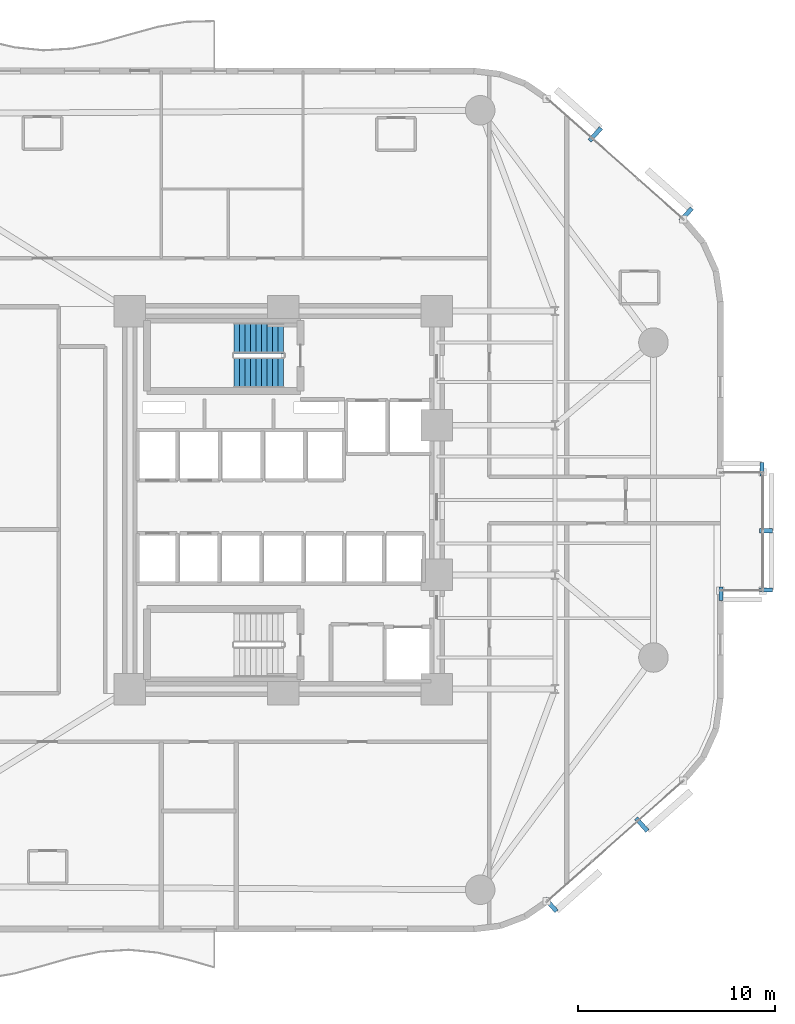
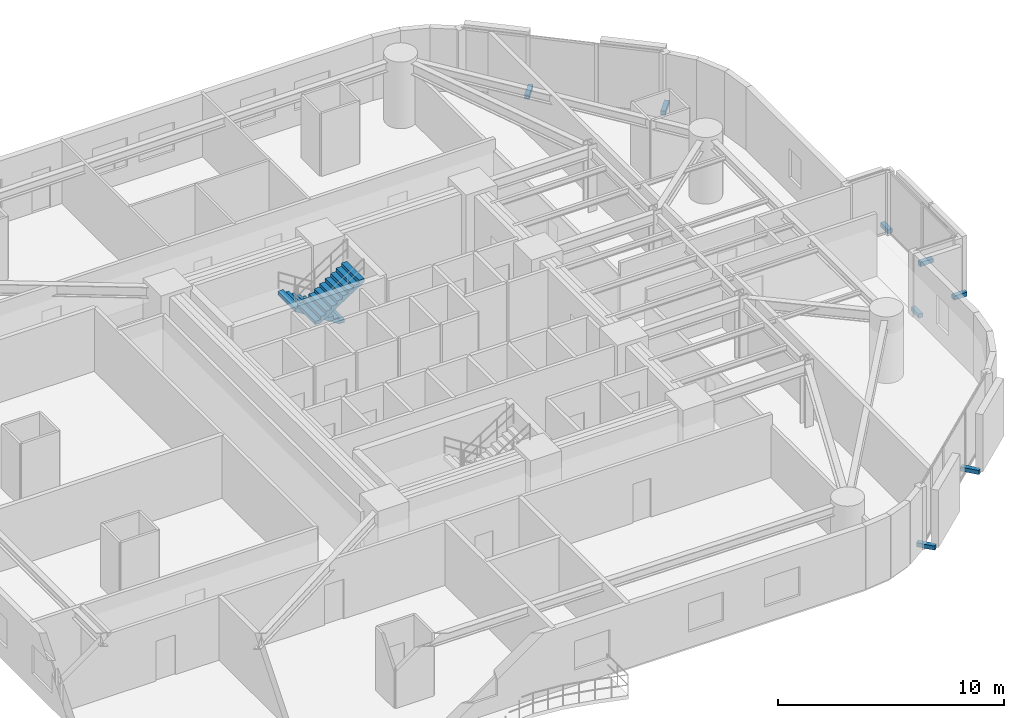
# One storey, part 14 of 17: 8 discrete accessories, 2 stair flights, 1 element without a shape of its own.
"""IFC4 building model written with IfcOpenShell, lengths in metres."""

from ifc_helpers import new_model, si_unit, direction, frame, origin, origin_2d, place, context, subcontext, project, spatial, polyline, rectangle, outline, extrude, material, type_object, element, aggregate, save


model = new_model("IFC4")

# Units and contexts
model_context = context("Model", 3, precision=1e-05, world=origin(), true_north=direction((0.0, 1.0)))
body_context = subcontext(model_context, "Body", "Model", "MODEL_VIEW")
ifc_project = project(units=[si_unit("LENGTHUNIT", "METRE"), si_unit("AREAUNIT", "SQUARE_METRE"), si_unit("VOLUMEUNIT", "CUBIC_METRE"), si_unit("PLANEANGLEUNIT", "RADIAN"), si_unit("MASSUNIT", "GRAM", prefix="KILO")], contexts=[model_context])

# Site, building, storey
site_placement = place(None, origin())
site = spatial("IfcSite", under=ifc_project, at=site_placement, CompositionType="ELEMENT")
building_placement = place(site_placement, origin())
building = spatial("IfcBuilding", under=site, at=building_placement, Name="An Khanh Terracotta Commons", CompositionType="ELEMENT")
storey_placement = place(building_placement, frame((0.0, 0.0, 36.0)))
storey = spatial("IfcBuildingStorey", under=building, at=storey_placement, Name="L09", CompositionType="ELEMENT", Elevation=36.0)

# Stair, stair flights
ifc_material_1 = material(Name="Precast concrete C40/50", Category="concrete")
stair_type = type_object("IfcStairType", Name="STAIR-CORE-1550", PredefinedType="HALF_TURN_STAIR", material=ifc_material_1)
stair_placement = place(storey_placement, origin())
stair = element("IfcStair", 1, at=stair_placement, inside=storey, type_object=stair_type, Name="L09 Core Smokeproof Exit Stair ST-01", PredefinedType="HALF_TURN_STAIR")
stair_flight_type = type_object("IfcStairFlightType", Name="FLIGHT-CORE-1550", PredefinedType="STRAIGHT", material=ifc_material_1)
stair_flight_1_placement = place(storey_placement, frame((29.409912109375, 32.22509765625, 0.0), z_axis=(0.0, 0.0, 1.0), x_axis=(-1.0, 0.0, 0.0)))
stair_flight_1 = element("IfcStairFlight", 2, at=stair_flight_1_placement, type_object=stair_flight_type, Name="ST-01 flight 1", NumberOfRisers=10, NumberOfTreads=9, PredefinedType="STRAIGHT", RiserHeight=0.18, TreadLength=0.28, context=body_context, shape_type="SweptSolid", body=[
    extrude(outline(polyline([(0.0, 0.0), (0.0, 0.179931640625), (0.280029296875, 0.179931640625), (0.280029296875, 0.360107421875), (0.56005859375, 0.360107421875), (0.56005859375, 0.5400390625), (0.840087890625, 0.5400390625), (0.840087890625, 0.719970703125), (1.1201171875, 0.719970703125), (1.1201171875, 0.89990234375), (1.39990234375, 0.89990234375), (1.39990234375, 1.080078125), (1.679931640625, 1.080078125), (1.679931640625, 1.260009765625), (1.9599609375, 1.260009765625), (1.9599609375, 1.43994140625), (2.239990234375, 1.43994140625), (2.239990234375, 1.6201171875), (2.52001953125, 1.6201171875), (2.52001953125, 1.800048828125), (2.52001953125, 1.44189453125), (0.277099609375, 0.0), (0.0, 0.0)])), frame((0.0, 0.77490234375, 0.0), z_axis=(0.0, -1.0, 0.0), x_axis=(1.0, 0.0, 0.0)), (0.0, 0.0, 1.0), 1.550048828125),
])
stair_flight_2_placement = place(storey_placement, frame((26.889892578125, 30.47509765625, 1.800048828125), z_axis=(0.0, 0.0, 1.0), x_axis=(1.0, 0.0, 0.0)))
stair_flight_2 = element("IfcStairFlight", 3, at=stair_flight_2_placement, type_object=stair_flight_type, Name="ST-01 flight 2", NumberOfRisers=10, NumberOfTreads=9, PredefinedType="STRAIGHT", RiserHeight=0.18, TreadLength=0.28, context=body_context, shape_type="SweptSolid", body=[
    extrude(outline(polyline([(0.0, 0.0), (0.0, 0.179931640625), (0.280029296875, 0.179931640625), (0.280029296875, 0.360107421875), (0.56005859375, 0.360107421875), (0.56005859375, 0.5400390625), (0.840087890625, 0.5400390625), (0.840087890625, 0.719970703125), (1.1201171875, 0.719970703125), (1.1201171875, 0.89990234375), (1.39990234375, 0.89990234375), (1.39990234375, 1.080078125), (1.679931640625, 1.080078125), (1.679931640625, 1.260009765625), (1.9599609375, 1.260009765625), (1.9599609375, 1.43994140625), (2.239990234375, 1.43994140625), (2.239990234375, 1.6201171875), (2.52001953125, 1.6201171875), (2.52001953125, 1.800048828125), (2.52001953125, 1.44189453125), (0.277099609375, 0.0), (0.0, 0.0)])), frame((0.0, 0.77490234375, 0.0), z_axis=(0.0, -1.0, 0.0), x_axis=(1.0, 0.0, 0.0)), (0.0, 0.0, 1.0), 1.550048828125),
])
aggregate(stair, [stair_flight_1, stair_flight_2])

# Discrete accessories
ifc_material_2 = material(Name="Stainless Steel Grade 316L", Category="steel")
discrete_accessory_type = type_object("IfcDiscreteAccessoryType", Name="Stainless Outrigger Facade Bracket", PredefinedType="BRACKET", material=ifc_material_2)
for number, where, z_axis, x_axis, name in (
    (4, (42.990966796875, 3.430908203125, 0.06982421875), (0.0, 0.0, 1.0), (0.749019284633, 0.662548195415, 0.0), "L09 Terracotta Screen Outrigger Bracket 1"),
    (5, (47.60498046875, 7.511962890625, 0.06982421875), (0.0, 0.0, 1.0), (0.749019284633, 0.662548195415, 0.0), "L09 Terracotta Screen Outrigger Bracket 3"),
):
    element("IfcDiscreteAccessory", number, at=place(storey_placement, frame(where, z_axis=z_axis, x_axis=x_axis)), inside=storey, type_object=discrete_accessory_type, Name=name, PredefinedType="BRACKET", context=body_context, shape_type="SweptSolid", body=[
        extrude(rectangle(XDim=0.219970703125, YDim=0.8701171875, at=origin_2d()), origin(), (0.0, 0.0, 1.0), 0.219970703125),
    ])
for number, where, z_axis, x_axis, name in (
    (6, (53.9150390625, 19.431884765625, 0.06982421875), (0.0, 0.0, 1.0), (0.0, 1.0, 0.0), "L09 Terracotta Screen Outrigger Bracket 1"),
    (7, (53.9150390625, 22.431884765625, 0.06982421875), (0.0, 0.0, 1.0), (0.0, 1.0, 0.0), "L09 Terracotta Screen Outrigger Bracket 2"),
    (8, (51.633056640625, 19.235107421875, 0.06982421875), (0.0, 0.0, 1.0), (1.0, 0.0, 0.0), "L09 Terracotta Screen Outrigger Bracket 1"),
    (9, (53.718017578125, 25.56494140625, 0.06982421875), (0.0, 0.0, 1.0), (-1.0, 0.0, 0.0), "L09 Terracotta Screen Outrigger Bracket 1"),
):
    element("IfcDiscreteAccessory", number, at=place(storey_placement, frame(where, z_axis=z_axis, x_axis=x_axis)), inside=storey, type_object=discrete_accessory_type, Name=name, PredefinedType="BRACKET", context=body_context, shape_type="SweptSolid", body=[
        extrude(rectangle(XDim=0.219970703125, YDim=0.669921875, at=origin_2d()), origin(), (0.0, 0.0, 1.0), 0.219970703125),
    ])
for number, where, z_axis, x_axis, name in (
    (10, (49.85888671875, 38.493896484375, 0.06982421875), (0.0, 0.0, 1.0), (-0.749019284633, 0.662548195415, 0.0), "L09 Terracotta Screen Outrigger Bracket 1"),
    (11, (45.2451171875, 42.574951171875, 0.06982421875), (0.0, 0.0, 1.0), (-0.749019284633, 0.662548195415, 0.0), "L09 Terracotta Screen Outrigger Bracket 3"),
):
    element("IfcDiscreteAccessory", number, at=place(storey_placement, frame(where, z_axis=z_axis, x_axis=x_axis)), inside=storey, type_object=discrete_accessory_type, Name=name, PredefinedType="BRACKET", context=body_context, shape_type="SweptSolid", body=[
        extrude(rectangle(XDim=0.219970703125, YDim=0.8701171875, at=origin_2d()), origin(), (0.0, 0.0, 1.0), 0.219970703125),
    ])

save(model, "model.ifc")
